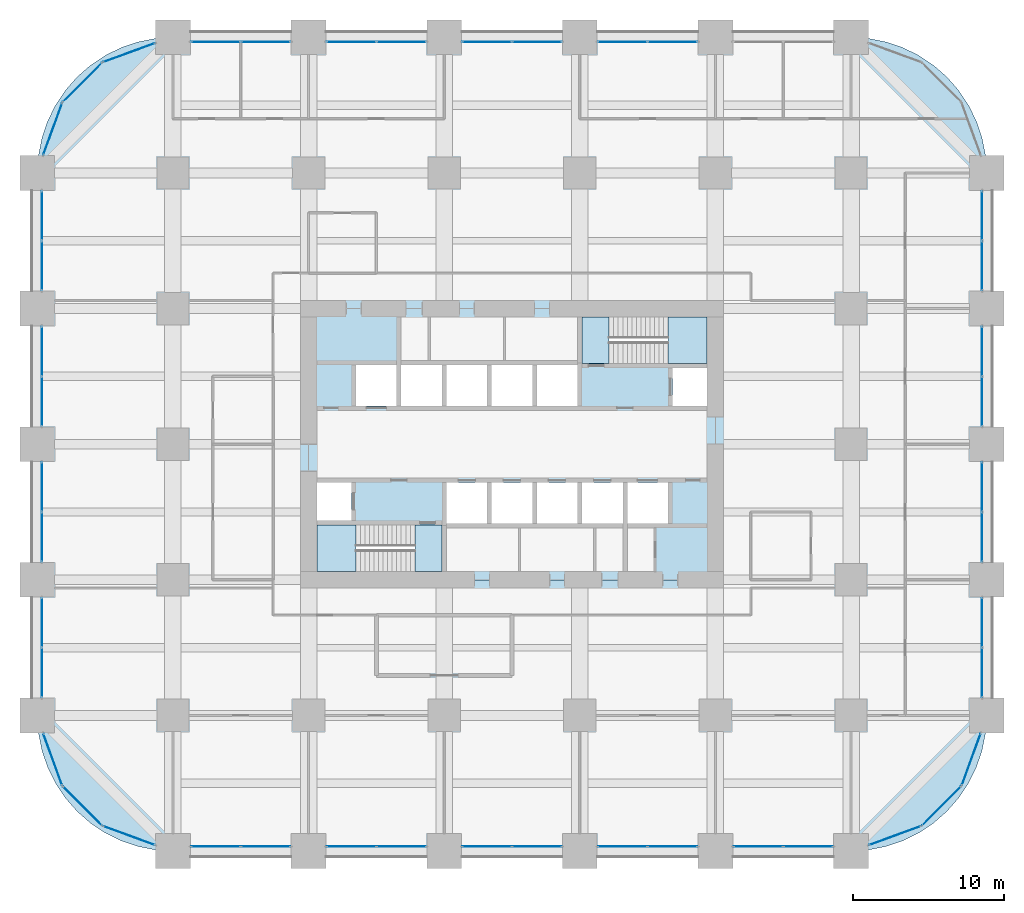
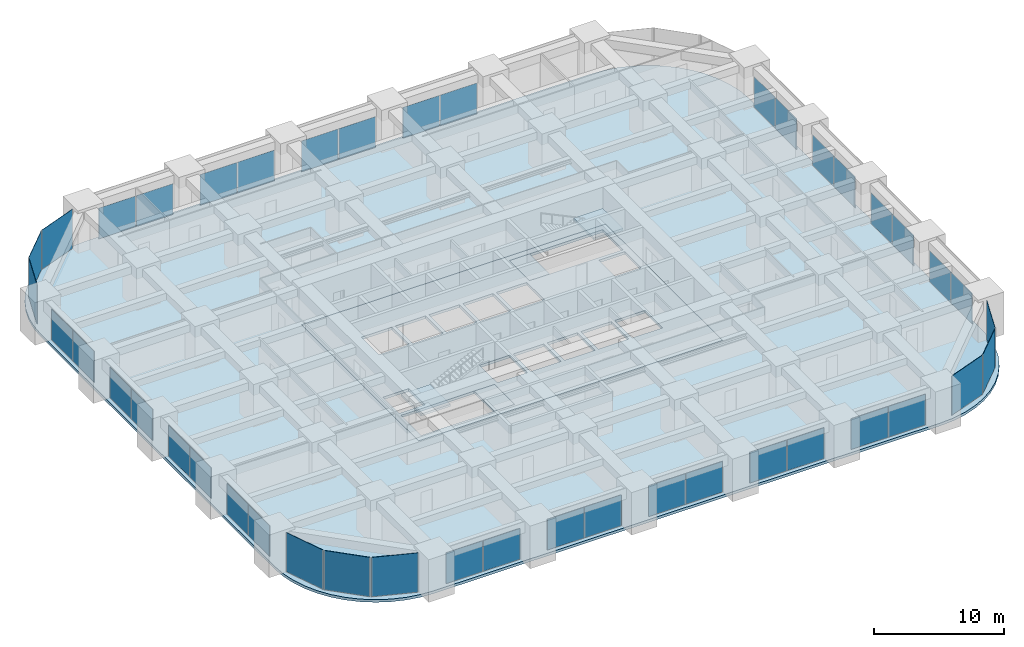
# One storey, part 38 of 44: 43 plates, 6 slabs, 28 elements without a shape of their own.
"""IFC4 building model written with IfcOpenShell, lengths in metres."""

from ifc_helpers import new_model, si_unit, direction, frame, origin, origin_2d, place, context, subcontext, project, spatial, polyline, rectangle, outline, extrude, material, layer, layer_set, type_object, element, aggregate, save


model = new_model("IFC4")

# Units and contexts
model_context = context("Model", 3, precision=1e-05, world=origin(), true_north=direction((0.0, 1.0)))
body_context = subcontext(model_context, "Body", "Model", "MODEL_VIEW")
ifc_project = project(units=[si_unit("LENGTHUNIT", "METRE"), si_unit("AREAUNIT", "SQUARE_METRE"), si_unit("VOLUMEUNIT", "CUBIC_METRE"), si_unit("PLANEANGLEUNIT", "RADIAN"), si_unit("MASSUNIT", "GRAM", prefix="KILO")], contexts=[model_context])

# Site, building, storey
site_placement = place(None, origin())
site = spatial("IfcSite", under=ifc_project, at=site_placement, CompositionType="ELEMENT")
building_placement = place(site_placement, origin())
building = spatial("IfcBuilding", under=site, at=building_placement, Name="Zorevar Civic Tower", CompositionType="ELEMENT")
storey_placement = place(building_placement, frame((0.0, 0.0, 51.800048828125)))
storey = spatial("IfcBuildingStorey", under=building, at=storey_placement, Name="L12", CompositionType="ELEMENT", Elevation=51.800048828125)

# Curtain wall, plates
ifc_material_1 = material(Name="Dark grey solar-control glass in black aluminium frame", Category="aluminium")
curtain_wall_type = type_object("IfcCurtainWallType", Name="Curtain wall CW2 low zone", PredefinedType="NOTDEFINED", material=ifc_material_1)
curtain_wall_1_placement = place(storey_placement, origin())
curtain_wall_1 = element("IfcCurtainWall", 1, at=curtain_wall_1_placement, inside=storey, type_object=curtain_wall_type, Name="CW2 L12", PredefinedType="NOTDEFINED")
ifc_material_2 = material(Name="Dark grey solar-control glass", Category="glass")
ifc_layer_1 = layer(ifc_material_2, 0.031982421875)
ifc_layer_set_1 = layer_set([ifc_layer_1], Name="CW2 panel 32")
plate_type = type_object("IfcPlateType", Name="CW2 panel 32", PredefinedType="CURTAIN_PANEL", material=ifc_layer_set_1)
plate_1_placement = place(storey_placement, frame((11.840087890625, 0.300048828125, 0.06005859375), z_axis=(0.0, 0.0, 1.0), x_axis=(1.0, 0.0, 0.0)))
plate_1 = element("IfcPlate", 2, at=plate_1_placement, type_object=plate_type, Name="CW2 panel 1.1", PredefinedType="CURTAIN_PANEL", context=body_context, shape_type="SweptSolid", body=[
    extrude(rectangle(XDim=3.260009765625, YDim=0.031982421875, at=origin_2d()), origin(), (0.0, 0.0, 1.0), 2.889892578125),
])
plate_2_placement = place(storey_placement, frame((15.159912109375, 0.300048828125, 0.06005859375), z_axis=(0.0, 0.0, 1.0), x_axis=(1.0, 0.0, 0.0)))
plate_2 = element("IfcPlate", 3, at=plate_2_placement, type_object=plate_type, Name="CW2 panel 2.1", PredefinedType="CURTAIN_PANEL", context=body_context, shape_type="SweptSolid", body=[
    extrude(rectangle(XDim=3.260009765625, YDim=0.031982421875, at=origin_2d()), origin(), (0.0, 0.0, 1.0), 2.889892578125),
])
aggregate(curtain_wall_1, [plate_1, plate_2])

curtain_wall_2_placement = place(storey_placement, origin())
curtain_wall_2 = element("IfcCurtainWall", 4, at=curtain_wall_2_placement, inside=storey, type_object=curtain_wall_type, Name="CW2 L12", PredefinedType="NOTDEFINED")
plate_3_placement = place(storey_placement, frame((11.840087890625, 53.699951171875, 0.06005859375), z_axis=(0.0, 0.0, 1.0), x_axis=(1.0, 0.0, 0.0)))
plate_3 = element("IfcPlate", 5, at=plate_3_placement, type_object=plate_type, Name="CW2 panel 1.1", PredefinedType="CURTAIN_PANEL", context=body_context, shape_type="SweptSolid", body=[
    extrude(rectangle(XDim=3.260009765625, YDim=0.031982421875, at=origin_2d()), origin(), (0.0, 0.0, 1.0), 2.889892578125),
])
plate_4_placement = place(storey_placement, frame((15.159912109375, 53.699951171875, 0.06005859375), z_axis=(0.0, 0.0, 1.0), x_axis=(1.0, 0.0, 0.0)))
plate_4 = element("IfcPlate", 6, at=plate_4_placement, type_object=plate_type, Name="CW2 panel 2.1", PredefinedType="CURTAIN_PANEL", context=body_context, shape_type="SweptSolid", body=[
    extrude(rectangle(XDim=3.260009765625, YDim=0.031982421875, at=origin_2d()), origin(), (0.0, 0.0, 1.0), 2.889892578125),
])
aggregate(curtain_wall_2, [plate_3, plate_4])

curtain_wall_3_placement = place(storey_placement, origin())
curtain_wall_3 = element("IfcCurtainWall", 7, at=curtain_wall_3_placement, inside=storey, type_object=curtain_wall_type, Name="CW2 L12", PredefinedType="NOTDEFINED")
plate_5_placement = place(storey_placement, frame((20.840087890625, 0.300048828125, 0.06005859375), z_axis=(0.0, 0.0, 1.0), x_axis=(1.0, 0.0, 0.0)))
plate_5 = element("IfcPlate", 8, at=plate_5_placement, type_object=plate_type, Name="CW2 panel 1.1", PredefinedType="CURTAIN_PANEL", context=body_context, shape_type="SweptSolid", body=[
    extrude(rectangle(XDim=3.260009765625, YDim=0.031982421875, at=origin_2d()), origin(), (0.0, 0.0, 1.0), 2.889892578125),
])
plate_6_placement = place(storey_placement, frame((24.159912109375, 0.300048828125, 0.06005859375), z_axis=(0.0, 0.0, 1.0), x_axis=(1.0, 0.0, 0.0)))
plate_6 = element("IfcPlate", 9, at=plate_6_placement, type_object=plate_type, Name="CW2 panel 2.1", PredefinedType="CURTAIN_PANEL", context=body_context, shape_type="SweptSolid", body=[
    extrude(rectangle(XDim=3.260009765625, YDim=0.031982421875, at=origin_2d()), origin(), (0.0, 0.0, 1.0), 2.889892578125),
])
aggregate(curtain_wall_3, [plate_5, plate_6])

curtain_wall_4_placement = place(storey_placement, origin())
curtain_wall_4 = element("IfcCurtainWall", 10, at=curtain_wall_4_placement, inside=storey, type_object=curtain_wall_type, Name="CW2 L12", PredefinedType="NOTDEFINED")
plate_7_placement = place(storey_placement, frame((20.840087890625, 53.699951171875, 0.06005859375), z_axis=(0.0, 0.0, 1.0), x_axis=(1.0, 0.0, 0.0)))
plate_7 = element("IfcPlate", 11, at=plate_7_placement, type_object=plate_type, Name="CW2 panel 1.1", PredefinedType="CURTAIN_PANEL", context=body_context, shape_type="SweptSolid", body=[
    extrude(rectangle(XDim=3.260009765625, YDim=0.031982421875, at=origin_2d()), origin(), (0.0, 0.0, 1.0), 2.889892578125),
])
plate_8_placement = place(storey_placement, frame((24.159912109375, 53.699951171875, 0.06005859375), z_axis=(0.0, 0.0, 1.0), x_axis=(1.0, 0.0, 0.0)))
plate_8 = element("IfcPlate", 12, at=plate_8_placement, type_object=plate_type, Name="CW2 panel 2.1", PredefinedType="CURTAIN_PANEL", context=body_context, shape_type="SweptSolid", body=[
    extrude(rectangle(XDim=3.260009765625, YDim=0.031982421875, at=origin_2d()), origin(), (0.0, 0.0, 1.0), 2.889892578125),
])
aggregate(curtain_wall_4, [plate_7, plate_8])

curtain_wall_5_placement = place(storey_placement, origin())
curtain_wall_5 = element("IfcCurtainWall", 13, at=curtain_wall_5_placement, inside=storey, type_object=curtain_wall_type, Name="CW2 L12", PredefinedType="NOTDEFINED")
plate_9_placement = place(storey_placement, frame((29.840087890625, 0.300048828125, 0.06005859375), z_axis=(0.0, 0.0, 1.0), x_axis=(1.0, 0.0, 0.0)))
plate_9 = element("IfcPlate", 14, at=plate_9_placement, type_object=plate_type, Name="CW2 panel 1.1", PredefinedType="CURTAIN_PANEL", context=body_context, shape_type="SweptSolid", body=[
    extrude(rectangle(XDim=3.260009765625, YDim=0.031982421875, at=origin_2d()), origin(), (0.0, 0.0, 1.0), 2.889892578125),
])
plate_10_placement = place(storey_placement, frame((33.159912109375, 0.300048828125, 0.06005859375), z_axis=(0.0, 0.0, 1.0), x_axis=(1.0, 0.0, 0.0)))
plate_10 = element("IfcPlate", 15, at=plate_10_placement, type_object=plate_type, Name="CW2 panel 2.1", PredefinedType="CURTAIN_PANEL", context=body_context, shape_type="SweptSolid", body=[
    extrude(rectangle(XDim=3.260009765625, YDim=0.031982421875, at=origin_2d()), origin(), (0.0, 0.0, 1.0), 2.889892578125),
])
aggregate(curtain_wall_5, [plate_9, plate_10])

curtain_wall_6_placement = place(storey_placement, origin())
curtain_wall_6 = element("IfcCurtainWall", 16, at=curtain_wall_6_placement, inside=storey, type_object=curtain_wall_type, Name="CW2 L12", PredefinedType="NOTDEFINED")
plate_11_placement = place(storey_placement, frame((29.840087890625, 53.699951171875, 0.06005859375), z_axis=(0.0, 0.0, 1.0), x_axis=(1.0, 0.0, 0.0)))
plate_11 = element("IfcPlate", 17, at=plate_11_placement, type_object=plate_type, Name="CW2 panel 1.1", PredefinedType="CURTAIN_PANEL", context=body_context, shape_type="SweptSolid", body=[
    extrude(rectangle(XDim=3.260009765625, YDim=0.031982421875, at=origin_2d()), origin(), (0.0, 0.0, 1.0), 2.889892578125),
])
plate_12_placement = place(storey_placement, frame((33.159912109375, 53.699951171875, 0.06005859375), z_axis=(0.0, 0.0, 1.0), x_axis=(1.0, 0.0, 0.0)))
plate_12 = element("IfcPlate", 18, at=plate_12_placement, type_object=plate_type, Name="CW2 panel 2.1", PredefinedType="CURTAIN_PANEL", context=body_context, shape_type="SweptSolid", body=[
    extrude(rectangle(XDim=3.260009765625, YDim=0.031982421875, at=origin_2d()), origin(), (0.0, 0.0, 1.0), 2.889892578125),
])
aggregate(curtain_wall_6, [plate_11, plate_12])

curtain_wall_7_placement = place(storey_placement, origin())
curtain_wall_7 = element("IfcCurtainWall", 19, at=curtain_wall_7_placement, inside=storey, type_object=curtain_wall_type, Name="CW2 L12", PredefinedType="NOTDEFINED")
plate_13_placement = place(storey_placement, frame((38.840087890625, 0.300048828125, 0.06005859375), z_axis=(0.0, 0.0, 1.0), x_axis=(1.0, 0.0, 0.0)))
plate_13 = element("IfcPlate", 20, at=plate_13_placement, type_object=plate_type, Name="CW2 panel 1.1", PredefinedType="CURTAIN_PANEL", context=body_context, shape_type="SweptSolid", body=[
    extrude(rectangle(XDim=3.260009765625, YDim=0.031982421875, at=origin_2d()), origin(), (0.0, 0.0, 1.0), 2.889892578125),
])
plate_14_placement = place(storey_placement, frame((42.159912109375, 0.300048828125, 0.06005859375), z_axis=(0.0, 0.0, 1.0), x_axis=(1.0, 0.0, 0.0)))
plate_14 = element("IfcPlate", 21, at=plate_14_placement, type_object=plate_type, Name="CW2 panel 2.1", PredefinedType="CURTAIN_PANEL", context=body_context, shape_type="SweptSolid", body=[
    extrude(rectangle(XDim=3.260009765625, YDim=0.031982421875, at=origin_2d()), origin(), (0.0, 0.0, 1.0), 2.889892578125),
])
aggregate(curtain_wall_7, [plate_13, plate_14])

curtain_wall_8_placement = place(storey_placement, origin())
curtain_wall_8 = element("IfcCurtainWall", 22, at=curtain_wall_8_placement, inside=storey, type_object=curtain_wall_type, Name="CW2 L12", PredefinedType="NOTDEFINED")
plate_15_placement = place(storey_placement, frame((38.840087890625, 53.699951171875, 0.06005859375), z_axis=(0.0, 0.0, 1.0), x_axis=(1.0, 0.0, 0.0)))
plate_15 = element("IfcPlate", 23, at=plate_15_placement, type_object=plate_type, Name="CW2 panel 1.1", PredefinedType="CURTAIN_PANEL", context=body_context, shape_type="SweptSolid", body=[
    extrude(rectangle(XDim=3.260009765625, YDim=0.031982421875, at=origin_2d()), origin(), (0.0, 0.0, 1.0), 2.889892578125),
])
plate_16_placement = place(storey_placement, frame((42.159912109375, 53.699951171875, 0.06005859375), z_axis=(0.0, 0.0, 1.0), x_axis=(1.0, 0.0, 0.0)))
plate_16 = element("IfcPlate", 24, at=plate_16_placement, type_object=plate_type, Name="CW2 panel 2.1", PredefinedType="CURTAIN_PANEL", context=body_context, shape_type="SweptSolid", body=[
    extrude(rectangle(XDim=3.260009765625, YDim=0.031982421875, at=origin_2d()), origin(), (0.0, 0.0, 1.0), 2.889892578125),
])
aggregate(curtain_wall_8, [plate_15, plate_16])

curtain_wall_9_placement = place(storey_placement, origin())
curtain_wall_9 = element("IfcCurtainWall", 25, at=curtain_wall_9_placement, inside=storey, type_object=curtain_wall_type, Name="CW2 L12", PredefinedType="NOTDEFINED")
plate_17_placement = place(storey_placement, frame((47.840087890625, 0.300048828125, 0.06005859375), z_axis=(0.0, 0.0, 1.0), x_axis=(1.0, 0.0, 0.0)))
plate_17 = element("IfcPlate", 26, at=plate_17_placement, type_object=plate_type, Name="CW2 panel 1.1", PredefinedType="CURTAIN_PANEL", context=body_context, shape_type="SweptSolid", body=[
    extrude(rectangle(XDim=3.260009765625, YDim=0.031982421875, at=origin_2d()), origin(), (0.0, 0.0, 1.0), 2.889892578125),
])
plate_18_placement = place(storey_placement, frame((51.159912109375, 0.300048828125, 0.06005859375), z_axis=(0.0, 0.0, 1.0), x_axis=(1.0, 0.0, 0.0)))
plate_18 = element("IfcPlate", 27, at=plate_18_placement, type_object=plate_type, Name="CW2 panel 2.1", PredefinedType="CURTAIN_PANEL", context=body_context, shape_type="SweptSolid", body=[
    extrude(rectangle(XDim=3.260009765625, YDim=0.031982421875, at=origin_2d()), origin(), (0.0, 0.0, 1.0), 2.889892578125),
])
aggregate(curtain_wall_9, [plate_17, plate_18])

curtain_wall_10_placement = place(storey_placement, origin())
curtain_wall_10 = element("IfcCurtainWall", 28, at=curtain_wall_10_placement, inside=storey, type_object=curtain_wall_type, Name="CW2 L12", PredefinedType="NOTDEFINED")
plate_19_placement = place(storey_placement, frame((0.300048828125, 11.840087890625, 0.06005859375), z_axis=(0.0, 0.0, 1.0), x_axis=(0.0, 1.0, 0.0)))
plate_19 = element("IfcPlate", 29, at=plate_19_placement, type_object=plate_type, Name="CW2 panel 1.1", PredefinedType="CURTAIN_PANEL", context=body_context, shape_type="SweptSolid", body=[
    extrude(rectangle(XDim=3.260009765625, YDim=0.031982421875, at=origin_2d()), origin(), (0.0, 0.0, 1.0), 2.889892578125),
])
plate_20_placement = place(storey_placement, frame((0.300048828125, 15.159912109375, 0.06005859375), z_axis=(0.0, 0.0, 1.0), x_axis=(0.0, 1.0, 0.0)))
plate_20 = element("IfcPlate", 30, at=plate_20_placement, type_object=plate_type, Name="CW2 panel 2.1", PredefinedType="CURTAIN_PANEL", context=body_context, shape_type="SweptSolid", body=[
    extrude(rectangle(XDim=3.260009765625, YDim=0.031982421875, at=origin_2d()), origin(), (0.0, 0.0, 1.0), 2.889892578125),
])
aggregate(curtain_wall_10, [plate_19, plate_20])

curtain_wall_11_placement = place(storey_placement, origin())
curtain_wall_11 = element("IfcCurtainWall", 31, at=curtain_wall_11_placement, inside=storey, type_object=curtain_wall_type, Name="CW2 L12", PredefinedType="NOTDEFINED")
plate_21_placement = place(storey_placement, frame((62.699951171875, 11.840087890625, 0.06005859375), z_axis=(0.0, 0.0, 1.0), x_axis=(0.0, 1.0, 0.0)))
plate_21 = element("IfcPlate", 32, at=plate_21_placement, type_object=plate_type, Name="CW2 panel 1.1", PredefinedType="CURTAIN_PANEL", context=body_context, shape_type="SweptSolid", body=[
    extrude(rectangle(XDim=3.260009765625, YDim=0.031982421875, at=origin_2d()), origin(), (0.0, 0.0, 1.0), 2.889892578125),
])
plate_22_placement = place(storey_placement, frame((62.699951171875, 15.159912109375, 0.06005859375), z_axis=(0.0, 0.0, 1.0), x_axis=(0.0, 1.0, 0.0)))
plate_22 = element("IfcPlate", 33, at=plate_22_placement, type_object=plate_type, Name="CW2 panel 2.1", PredefinedType="CURTAIN_PANEL", context=body_context, shape_type="SweptSolid", body=[
    extrude(rectangle(XDim=3.260009765625, YDim=0.031982421875, at=origin_2d()), origin(), (0.0, 0.0, 1.0), 2.889892578125),
])
aggregate(curtain_wall_11, [plate_21, plate_22])

curtain_wall_12_placement = place(storey_placement, origin())
curtain_wall_12 = element("IfcCurtainWall", 34, at=curtain_wall_12_placement, inside=storey, type_object=curtain_wall_type, Name="CW2 L12", PredefinedType="NOTDEFINED")
plate_23_placement = place(storey_placement, frame((0.300048828125, 20.840087890625, 0.06005859375), z_axis=(0.0, 0.0, 1.0), x_axis=(0.0, 1.0, 0.0)))
plate_23 = element("IfcPlate", 35, at=plate_23_placement, type_object=plate_type, Name="CW2 panel 1.1", PredefinedType="CURTAIN_PANEL", context=body_context, shape_type="SweptSolid", body=[
    extrude(rectangle(XDim=3.260009765625, YDim=0.031982421875, at=origin_2d()), origin(), (0.0, 0.0, 1.0), 2.889892578125),
])
plate_24_placement = place(storey_placement, frame((0.300048828125, 24.159912109375, 0.06005859375), z_axis=(0.0, 0.0, 1.0), x_axis=(0.0, 1.0, 0.0)))
plate_24 = element("IfcPlate", 36, at=plate_24_placement, type_object=plate_type, Name="CW2 panel 2.1", PredefinedType="CURTAIN_PANEL", context=body_context, shape_type="SweptSolid", body=[
    extrude(rectangle(XDim=3.260009765625, YDim=0.031982421875, at=origin_2d()), origin(), (0.0, 0.0, 1.0), 2.889892578125),
])
aggregate(curtain_wall_12, [plate_23, plate_24])

curtain_wall_13_placement = place(storey_placement, origin())
curtain_wall_13 = element("IfcCurtainWall", 37, at=curtain_wall_13_placement, inside=storey, type_object=curtain_wall_type, Name="CW2 L12", PredefinedType="NOTDEFINED")
plate_25_placement = place(storey_placement, frame((62.699951171875, 20.840087890625, 0.06005859375), z_axis=(0.0, 0.0, 1.0), x_axis=(0.0, 1.0, 0.0)))
plate_25 = element("IfcPlate", 38, at=plate_25_placement, type_object=plate_type, Name="CW2 panel 1.1", PredefinedType="CURTAIN_PANEL", context=body_context, shape_type="SweptSolid", body=[
    extrude(rectangle(XDim=3.260009765625, YDim=0.031982421875, at=origin_2d()), origin(), (0.0, 0.0, 1.0), 2.889892578125),
])
plate_26_placement = place(storey_placement, frame((62.699951171875, 24.159912109375, 0.06005859375), z_axis=(0.0, 0.0, 1.0), x_axis=(0.0, 1.0, 0.0)))
plate_26 = element("IfcPlate", 39, at=plate_26_placement, type_object=plate_type, Name="CW2 panel 2.1", PredefinedType="CURTAIN_PANEL", context=body_context, shape_type="SweptSolid", body=[
    extrude(rectangle(XDim=3.260009765625, YDim=0.031982421875, at=origin_2d()), origin(), (0.0, 0.0, 1.0), 2.889892578125),
])
aggregate(curtain_wall_13, [plate_25, plate_26])

curtain_wall_14_placement = place(storey_placement, origin())
curtain_wall_14 = element("IfcCurtainWall", 40, at=curtain_wall_14_placement, inside=storey, type_object=curtain_wall_type, Name="CW2 L12", PredefinedType="NOTDEFINED")
plate_27_placement = place(storey_placement, frame((0.300048828125, 29.840087890625, 0.06005859375), z_axis=(0.0, 0.0, 1.0), x_axis=(0.0, 1.0, 0.0)))
plate_27 = element("IfcPlate", 41, at=plate_27_placement, type_object=plate_type, Name="CW2 panel 1.1", PredefinedType="CURTAIN_PANEL", context=body_context, shape_type="SweptSolid", body=[
    extrude(rectangle(XDim=3.260009765625, YDim=0.031982421875, at=origin_2d()), origin(), (0.0, 0.0, 1.0), 2.889892578125),
])
plate_28_placement = place(storey_placement, frame((0.300048828125, 33.159912109375, 0.06005859375), z_axis=(0.0, 0.0, 1.0), x_axis=(0.0, 1.0, 0.0)))
plate_28 = element("IfcPlate", 42, at=plate_28_placement, type_object=plate_type, Name="CW2 panel 2.1", PredefinedType="CURTAIN_PANEL", context=body_context, shape_type="SweptSolid", body=[
    extrude(rectangle(XDim=3.260009765625, YDim=0.031982421875, at=origin_2d()), origin(), (0.0, 0.0, 1.0), 2.889892578125),
])
aggregate(curtain_wall_14, [plate_27, plate_28])

curtain_wall_15_placement = place(storey_placement, origin())
curtain_wall_15 = element("IfcCurtainWall", 43, at=curtain_wall_15_placement, inside=storey, type_object=curtain_wall_type, Name="CW2 L12", PredefinedType="NOTDEFINED")
plate_29_placement = place(storey_placement, frame((62.699951171875, 29.840087890625, 0.06005859375), z_axis=(0.0, 0.0, 1.0), x_axis=(0.0, 1.0, 0.0)))
plate_29 = element("IfcPlate", 44, at=plate_29_placement, type_object=plate_type, Name="CW2 panel 1.1", PredefinedType="CURTAIN_PANEL", context=body_context, shape_type="SweptSolid", body=[
    extrude(rectangle(XDim=3.260009765625, YDim=0.031982421875, at=origin_2d()), origin(), (0.0, 0.0, 1.0), 2.889892578125),
])
plate_30_placement = place(storey_placement, frame((62.699951171875, 33.159912109375, 0.06005859375), z_axis=(0.0, 0.0, 1.0), x_axis=(0.0, 1.0, 0.0)))
plate_30 = element("IfcPlate", 45, at=plate_30_placement, type_object=plate_type, Name="CW2 panel 2.1", PredefinedType="CURTAIN_PANEL", context=body_context, shape_type="SweptSolid", body=[
    extrude(rectangle(XDim=3.260009765625, YDim=0.031982421875, at=origin_2d()), origin(), (0.0, 0.0, 1.0), 2.889892578125),
])
aggregate(curtain_wall_15, [plate_29, plate_30])

curtain_wall_16_placement = place(storey_placement, origin())
curtain_wall_16 = element("IfcCurtainWall", 46, at=curtain_wall_16_placement, inside=storey, type_object=curtain_wall_type, Name="CW2 L12", PredefinedType="NOTDEFINED")
plate_31_placement = place(storey_placement, frame((0.300048828125, 38.840087890625, 0.06005859375), z_axis=(0.0, 0.0, 1.0), x_axis=(0.0, 1.0, 0.0)))
plate_31 = element("IfcPlate", 47, at=plate_31_placement, type_object=plate_type, Name="CW2 panel 1.1", PredefinedType="CURTAIN_PANEL", context=body_context, shape_type="SweptSolid", body=[
    extrude(rectangle(XDim=3.260009765625, YDim=0.031982421875, at=origin_2d()), origin(), (0.0, 0.0, 1.0), 2.889892578125),
])
plate_32_placement = place(storey_placement, frame((0.300048828125, 42.159912109375, 0.06005859375), z_axis=(0.0, 0.0, 1.0), x_axis=(0.0, 1.0, 0.0)))
plate_32 = element("IfcPlate", 48, at=plate_32_placement, type_object=plate_type, Name="CW2 panel 2.1", PredefinedType="CURTAIN_PANEL", context=body_context, shape_type="SweptSolid", body=[
    extrude(rectangle(XDim=3.260009765625, YDim=0.031982421875, at=origin_2d()), origin(), (0.0, 0.0, 1.0), 2.889892578125),
])
aggregate(curtain_wall_16, [plate_31, plate_32])

curtain_wall_17_placement = place(storey_placement, origin())
curtain_wall_17 = element("IfcCurtainWall", 49, at=curtain_wall_17_placement, inside=storey, type_object=curtain_wall_type, Name="CW2 L12", PredefinedType="NOTDEFINED")
plate_33_placement = place(storey_placement, frame((62.699951171875, 38.840087890625, 0.06005859375), z_axis=(0.0, 0.0, 1.0), x_axis=(0.0, 1.0, 0.0)))
plate_33 = element("IfcPlate", 50, at=plate_33_placement, type_object=plate_type, Name="CW2 panel 1.1", PredefinedType="CURTAIN_PANEL", context=body_context, shape_type="SweptSolid", body=[
    extrude(rectangle(XDim=3.260009765625, YDim=0.031982421875, at=origin_2d()), origin(), (0.0, 0.0, 1.0), 2.889892578125),
])
plate_34_placement = place(storey_placement, frame((62.699951171875, 42.159912109375, 0.06005859375), z_axis=(0.0, 0.0, 1.0), x_axis=(0.0, 1.0, 0.0)))
plate_34 = element("IfcPlate", 51, at=plate_34_placement, type_object=plate_type, Name="CW2 panel 2.1", PredefinedType="CURTAIN_PANEL", context=body_context, shape_type="SweptSolid", body=[
    extrude(rectangle(XDim=3.260009765625, YDim=0.031982421875, at=origin_2d()), origin(), (0.0, 0.0, 1.0), 2.889892578125),
])
aggregate(curtain_wall_17, [plate_33, plate_34])

# Curtain wall, plate
curtain_wall_18_placement = place(storey_placement, origin())
curtain_wall_18 = element("IfcCurtainWall", 52, at=curtain_wall_18_placement, inside=storey, type_object=curtain_wall_type, Name="CW2 L12", PredefinedType="NOTDEFINED")
plate_35_placement = place(storey_placement, frame((56.914306640625, 1.020751953125, 0.06005859375), z_axis=(0.0, 0.0, 1.0), x_axis=(0.939313345732, 0.343060400701, 0.0)))
plate_35 = element("IfcPlate", 53, at=plate_35_placement, type_object=plate_type, Name="CW2 panel 1.1", PredefinedType="CURTAIN_PANEL", context=body_context, shape_type="SweptSolid", body=[
    extrude(rectangle(XDim=3.636474609375, YDim=0.031982421875, at=origin_2d()), origin(), (0.0, 0.0, 1.0), 3.68994140625),
])
aggregate(curtain_wall_18, [plate_35])

curtain_wall_19_placement = place(storey_placement, origin())
curtain_wall_19 = element("IfcCurtainWall", 54, at=curtain_wall_19_placement, inside=storey, type_object=curtain_wall_type, Name="CW2 L12", PredefinedType="NOTDEFINED")
plate_36_placement = place(storey_placement, frame((60.0068359375, 2.9931640625, 0.06005859375), z_axis=(0.0, 0.0, 1.0), x_axis=(0.707106781187, 0.707106781187, 0.0)))
plate_36 = element("IfcPlate", 55, at=plate_36_placement, type_object=plate_type, Name="CW2 panel 1.1", PredefinedType="CURTAIN_PANEL", context=body_context, shape_type="SweptSolid", body=[
    extrude(rectangle(XDim=3.636474609375, YDim=0.031982421875, at=origin_2d()), origin(), (0.0, 0.0, 1.0), 3.68994140625),
])
aggregate(curtain_wall_19, [plate_36])

curtain_wall_20_placement = place(storey_placement, origin())
curtain_wall_20 = element("IfcCurtainWall", 56, at=curtain_wall_20_placement, inside=storey, type_object=curtain_wall_type, Name="CW2 L12", PredefinedType="NOTDEFINED")
plate_37_placement = place(storey_placement, frame((61.979248046875, 6.085693359375, 0.06005859375), z_axis=(0.0, 0.0, 1.0), x_axis=(0.343060400701, 0.939313345732, 0.0)))
plate_37 = element("IfcPlate", 57, at=plate_37_placement, type_object=plate_type, Name="CW2 panel 1.1", PredefinedType="CURTAIN_PANEL", context=body_context, shape_type="SweptSolid", body=[
    extrude(rectangle(XDim=3.636474609375, YDim=0.031982421875, at=origin_2d()), origin(), (0.0, 0.0, 1.0), 3.68994140625),
])
aggregate(curtain_wall_20, [plate_37])

curtain_wall_21_placement = place(storey_placement, origin())
curtain_wall_21 = element("IfcCurtainWall", 58, at=curtain_wall_21_placement, inside=storey, type_object=curtain_wall_type, Name="CW2 L12", PredefinedType="NOTDEFINED")
plate_38_placement = place(storey_placement, frame((6.085693359375, 52.979248046875, 0.06005859375), z_axis=(0.0, 0.0, 1.0), x_axis=(-0.939313345732, -0.343060400701, 0.0)))
plate_38 = element("IfcPlate", 59, at=plate_38_placement, type_object=plate_type, Name="CW2 panel 1.1", PredefinedType="CURTAIN_PANEL", context=body_context, shape_type="SweptSolid", body=[
    extrude(rectangle(XDim=3.636474609375, YDim=0.031982421875, at=origin_2d()), origin(), (0.0, 0.0, 1.0), 3.68994140625),
])
aggregate(curtain_wall_21, [plate_38])

curtain_wall_22_placement = place(storey_placement, origin())
curtain_wall_22 = element("IfcCurtainWall", 60, at=curtain_wall_22_placement, inside=storey, type_object=curtain_wall_type, Name="CW2 L12", PredefinedType="NOTDEFINED")
plate_39_placement = place(storey_placement, frame((2.9931640625, 51.0068359375, 0.06005859375), z_axis=(0.0, 0.0, 1.0), x_axis=(-0.707106781187, -0.707106781187, 0.0)))
plate_39 = element("IfcPlate", 61, at=plate_39_placement, type_object=plate_type, Name="CW2 panel 1.1", PredefinedType="CURTAIN_PANEL", context=body_context, shape_type="SweptSolid", body=[
    extrude(rectangle(XDim=3.636474609375, YDim=0.031982421875, at=origin_2d()), origin(), (0.0, 0.0, 1.0), 3.68994140625),
])
aggregate(curtain_wall_22, [plate_39])

curtain_wall_23_placement = place(storey_placement, origin())
curtain_wall_23 = element("IfcCurtainWall", 62, at=curtain_wall_23_placement, inside=storey, type_object=curtain_wall_type, Name="CW2 L12", PredefinedType="NOTDEFINED")
plate_40_placement = place(storey_placement, frame((1.020751953125, 47.914306640625, 0.06005859375), z_axis=(0.0, 0.0, 1.0), x_axis=(-0.343060400701, -0.939313345732, 0.0)))
plate_40 = element("IfcPlate", 63, at=plate_40_placement, type_object=plate_type, Name="CW2 panel 1.1", PredefinedType="CURTAIN_PANEL", context=body_context, shape_type="SweptSolid", body=[
    extrude(rectangle(XDim=3.636474609375, YDim=0.031982421875, at=origin_2d()), origin(), (0.0, 0.0, 1.0), 3.68994140625),
])
aggregate(curtain_wall_23, [plate_40])

curtain_wall_24_placement = place(storey_placement, origin())
curtain_wall_24 = element("IfcCurtainWall", 64, at=curtain_wall_24_placement, inside=storey, type_object=curtain_wall_type, Name="CW2 L12", PredefinedType="NOTDEFINED")
plate_41_placement = place(storey_placement, frame((1.020751953125, 6.085693359375, 0.06005859375), z_axis=(0.0, 0.0, 1.0), x_axis=(0.343060400701, -0.939313345732, 0.0)))
plate_41 = element("IfcPlate", 65, at=plate_41_placement, type_object=plate_type, Name="CW2 panel 1.1", PredefinedType="CURTAIN_PANEL", context=body_context, shape_type="SweptSolid", body=[
    extrude(rectangle(XDim=3.636474609375, YDim=0.031982421875, at=origin_2d()), origin(), (0.0, 0.0, 1.0), 3.68994140625),
])
aggregate(curtain_wall_24, [plate_41])

curtain_wall_25_placement = place(storey_placement, origin())
curtain_wall_25 = element("IfcCurtainWall", 66, at=curtain_wall_25_placement, inside=storey, type_object=curtain_wall_type, Name="CW2 L12", PredefinedType="NOTDEFINED")
plate_42_placement = place(storey_placement, frame((2.9931640625, 2.9931640625, 0.06005859375), z_axis=(0.0, 0.0, 1.0), x_axis=(0.707106781187, -0.707106781187, 0.0)))
plate_42 = element("IfcPlate", 67, at=plate_42_placement, type_object=plate_type, Name="CW2 panel 1.1", PredefinedType="CURTAIN_PANEL", context=body_context, shape_type="SweptSolid", body=[
    extrude(rectangle(XDim=3.636474609375, YDim=0.031982421875, at=origin_2d()), origin(), (0.0, 0.0, 1.0), 3.68994140625),
])
aggregate(curtain_wall_25, [plate_42])

curtain_wall_26_placement = place(storey_placement, origin())
curtain_wall_26 = element("IfcCurtainWall", 68, at=curtain_wall_26_placement, inside=storey, type_object=curtain_wall_type, Name="CW2 L12", PredefinedType="NOTDEFINED")
plate_43_placement = place(storey_placement, frame((6.085693359375, 1.020751953125, 0.06005859375), z_axis=(0.0, 0.0, 1.0), x_axis=(0.939313345732, -0.343060400701, 0.0)))
plate_43 = element("IfcPlate", 69, at=plate_43_placement, type_object=plate_type, Name="CW2 panel 1.1", PredefinedType="CURTAIN_PANEL", context=body_context, shape_type="SweptSolid", body=[
    extrude(rectangle(XDim=3.636474609375, YDim=0.031982421875, at=origin_2d()), origin(), (0.0, 0.0, 1.0), 3.68994140625),
])
aggregate(curtain_wall_26, [plate_43])

# Slabs
ifc_material_3 = material(Name="Concrete C40/50", Category="concrete")
ifc_layer_2 = layer(ifc_material_3, 0.25)
ifc_layer_set_2 = layer_set([ifc_layer_2], Name="Floor slab 250")
slab_type_1 = type_object("IfcSlabType", Name="Floor slab 250", PredefinedType="FLOOR", material=ifc_layer_set_2)
slab_1_placement = place(storey_placement, frame((0.0, 0.0, -0.25)))
element("IfcSlab", 70, at=slab_1_placement, inside=storey, type_object=slab_type_1, Name="Floor slab L12", PredefinedType="FLOOR", context=body_context, shape_type="SweptSolid", body=[
    extrude(outline(polyline([(54.0, 0.0), (55.1748046875, 0.076904296875), (56.329345703125, 0.306640625), (57.444091796875, 0.68505859375), (58.5, 1.205810546875), (59.478759765625, 1.85986328125), (60.364013671875, 2.635986328125), (61.14013671875, 3.521240234375), (61.794189453125, 4.5), (62.31494140625, 5.555908203125), (62.693359375, 6.670654296875), (62.923095703125, 7.8251953125), (63.0, 9.0), (63.0, 45.0), (62.923095703125, 46.1748046875), (62.693359375, 47.329345703125), (62.31494140625, 48.444091796875), (61.794189453125, 49.5), (61.14013671875, 50.478759765625), (60.364013671875, 51.364013671875), (59.478759765625, 52.14013671875), (58.5, 52.794189453125), (57.444091796875, 53.31494140625), (56.329345703125, 53.693359375), (55.1748046875, 53.923095703125), (54.0, 54.0), (9.0, 54.0), (7.8251953125, 53.923095703125), (6.670654296875, 53.693359375), (5.555908203125, 53.31494140625), (4.5, 52.794189453125), (3.521240234375, 52.14013671875), (2.635986328125, 51.364013671875), (1.85986328125, 50.478759765625), (1.205810546875, 49.5), (0.68505859375, 48.444091796875), (0.306640625, 47.329345703125), (0.076904296875, 46.1748046875), (0.0, 45.0), (0.0, 9.0), (0.076904296875, 7.8251953125), (0.306640625, 6.670654296875), (0.68505859375, 5.555908203125), (1.205810546875, 4.5), (1.85986328125, 3.521240234375), (2.635986328125, 2.635986328125), (3.521240234375, 1.85986328125), (4.5, 1.205810546875), (5.555908203125, 0.68505859375), (6.670654296875, 0.306640625), (7.8251953125, 0.076904296875), (9.0, 0.0), (54.0, 0.0)]), holes=[polyline([(18.0, 18.0), (45.0, 18.0), (45.0, 36.0), (18.0, 36.0), (18.0, 18.0)])]), origin(), (0.0, 0.0, 1.0), 0.25),
])
slab_2_placement = place(storey_placement, frame((0.0, 0.0, -0.25)))
element("IfcSlab", 71, at=slab_2_placement, inside=storey, type_object=slab_type_1, Name="Core floor L12", PredefinedType="FLOOR", context=body_context, shape_type="SweptSolid", body=[
    extrude(outline(polyline([(18.0, 18.0), (45.0, 18.0), (45.0, 36.0), (18.0, 36.0), (18.0, 18.0)]), holes=[polyline([(18.550048828125, 18.550048828125), (26.85009765625, 18.550048828125), (26.85009765625, 21.64990234375), (18.550048828125, 21.64990234375), (18.550048828125, 18.550048828125)]), polyline([(36.14990234375, 32.35009765625), (44.449951171875, 32.35009765625), (44.449951171875, 35.449951171875), (36.14990234375, 35.449951171875), (36.14990234375, 32.35009765625)]), polyline([(18.550048828125, 21.949951171875), (20.85009765625, 21.949951171875), (20.85009765625, 24.449951171875), (18.550048828125, 24.449951171875), (18.550048828125, 21.949951171875)]), polyline([(42.14990234375, 29.550048828125), (44.449951171875, 29.550048828125), (44.449951171875, 32.050048828125), (42.14990234375, 32.050048828125), (42.14990234375, 29.550048828125)]), polyline([(27.14990234375, 21.75), (29.85009765625, 21.75), (29.85009765625, 24.449951171875), (27.14990234375, 24.449951171875), (27.14990234375, 21.75)]), polyline([(33.14990234375, 29.550048828125), (35.85009765625, 29.550048828125), (35.85009765625, 32.25), (33.14990234375, 32.25), (33.14990234375, 29.550048828125)]), polyline([(30.14990234375, 21.75), (32.85009765625, 21.75), (32.85009765625, 24.449951171875), (30.14990234375, 24.449951171875), (30.14990234375, 21.75)]), polyline([(30.14990234375, 29.550048828125), (32.85009765625, 29.550048828125), (32.85009765625, 32.25), (30.14990234375, 32.25), (30.14990234375, 29.550048828125)]), polyline([(33.14990234375, 21.75), (35.85009765625, 21.75), (35.85009765625, 24.449951171875), (33.14990234375, 24.449951171875), (33.14990234375, 21.75)]), polyline([(27.14990234375, 29.550048828125), (29.85009765625, 29.550048828125), (29.85009765625, 32.25), (27.14990234375, 32.25), (27.14990234375, 29.550048828125)]), polyline([(36.14990234375, 21.75), (38.85009765625, 21.75), (38.85009765625, 24.449951171875), (36.14990234375, 24.449951171875), (36.14990234375, 21.75)]), polyline([(24.14990234375, 29.550048828125), (26.85009765625, 29.550048828125), (26.85009765625, 32.25), (24.14990234375, 32.25), (24.14990234375, 29.550048828125)]), polyline([(39.14990234375, 21.75), (41.85009765625, 21.75), (41.85009765625, 24.449951171875), (39.14990234375, 24.449951171875), (39.14990234375, 21.75)]), polyline([(21.14990234375, 29.550048828125), (23.85009765625, 29.550048828125), (23.85009765625, 32.25), (21.14990234375, 32.25), (21.14990234375, 29.550048828125)])]), origin(), (0.0, 0.0, 1.0), 0.25),
])

# Stair, slabs
ifc_material_4 = material(Name="Precast concrete C40/50", Category="concrete")
stair_type = type_object("IfcStairType", Name="Stair ST 28R", PredefinedType="HALF_TURN_STAIR", material=ifc_material_4)
stair_1_placement = place(storey_placement, origin())
stair_1 = element("IfcStair", 72, at=stair_1_placement, inside=storey, type_object=stair_type, Name="Stair ST1 L12", PredefinedType="HALF_TURN_STAIR")
ifc_material_5 = material(Name="Concrete C40/50", Category="concrete")
ifc_layer_3 = layer(ifc_material_5, 0.199951171875)
ifc_layer_set_3 = layer_set([ifc_layer_3], Name="Stair landing 200")
slab_type_2 = type_object("IfcSlabType", Name="Stair landing 200", PredefinedType="LANDING", material=ifc_layer_set_3)
slab_3_placement = place(storey_placement, frame((0.0, 0.0, -0.199951171875)))
slab_3 = element("IfcSlab", 73, at=slab_3_placement, type_object=slab_type_2, Name="ST1 landing 1", PredefinedType="LANDING", context=body_context, shape_type="SweptSolid", body=[
    extrude(outline(polyline([(25.050048828125, 18.550048828125), (26.85009765625, 18.550048828125), (26.85009765625, 21.64990234375), (25.050048828125, 21.64990234375), (25.050048828125, 18.550048828125)])), origin(), (0.0, 0.0, 1.0), 0.199951171875),
])
slab_4_placement = place(storey_placement, frame((0.0, 0.0, 1.800048828125)))
slab_4 = element("IfcSlab", 74, at=slab_4_placement, type_object=slab_type_2, Name="ST1 landing 2", PredefinedType="LANDING", context=body_context, shape_type="SweptSolid", body=[
    extrude(outline(polyline([(18.550048828125, 18.550048828125), (21.14990234375, 18.550048828125), (21.14990234375, 21.64990234375), (18.550048828125, 21.64990234375), (18.550048828125, 18.550048828125)])), origin(), (0.0, 0.0, 1.0), 0.199951171875),
])
aggregate(stair_1, [slab_3, slab_4])

stair_2_placement = place(storey_placement, origin())
stair_2 = element("IfcStair", 75, at=stair_2_placement, inside=storey, type_object=stair_type, Name="Stair ST2 L12", PredefinedType="HALF_TURN_STAIR")
slab_5_placement = place(storey_placement, frame((0.0, 0.0, -0.199951171875)))
slab_5 = element("IfcSlab", 76, at=slab_5_placement, type_object=slab_type_2, Name="ST2 landing 1", PredefinedType="LANDING", context=body_context, shape_type="SweptSolid", body=[
    extrude(outline(polyline([(37.949951171875, 32.35009765625), (36.14990234375, 32.35009765625), (36.14990234375, 35.449951171875), (37.949951171875, 35.449951171875), (37.949951171875, 32.35009765625)])), origin(), (0.0, 0.0, 1.0), 0.199951171875),
])
slab_6_placement = place(storey_placement, frame((0.0, 0.0, 1.800048828125)))
slab_6 = element("IfcSlab", 77, at=slab_6_placement, type_object=slab_type_2, Name="ST2 landing 2", PredefinedType="LANDING", context=body_context, shape_type="SweptSolid", body=[
    extrude(outline(polyline([(44.449951171875, 32.35009765625), (41.85009765625, 32.35009765625), (41.85009765625, 35.449951171875), (44.449951171875, 35.449951171875), (44.449951171875, 32.35009765625)])), origin(), (0.0, 0.0, 1.0), 0.199951171875),
])
aggregate(stair_2, [slab_5, slab_6])

save(model, "model.ifc")
